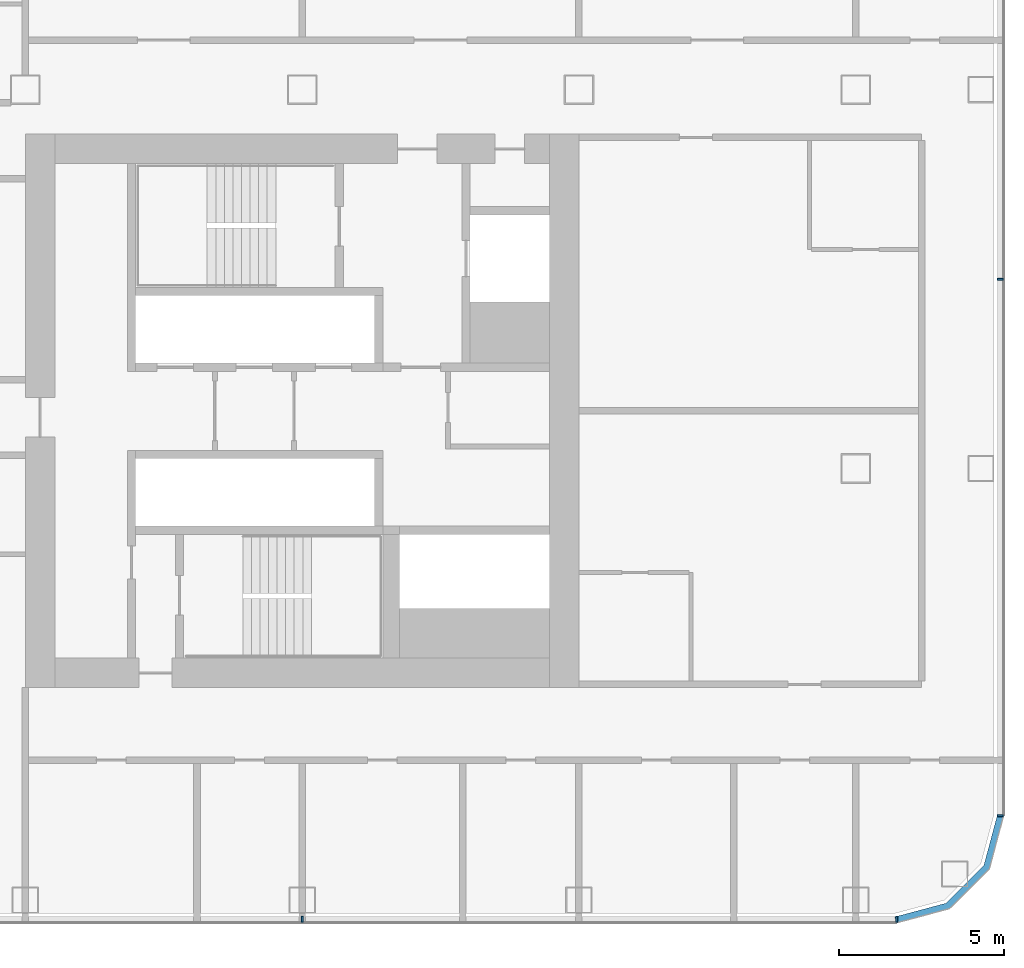
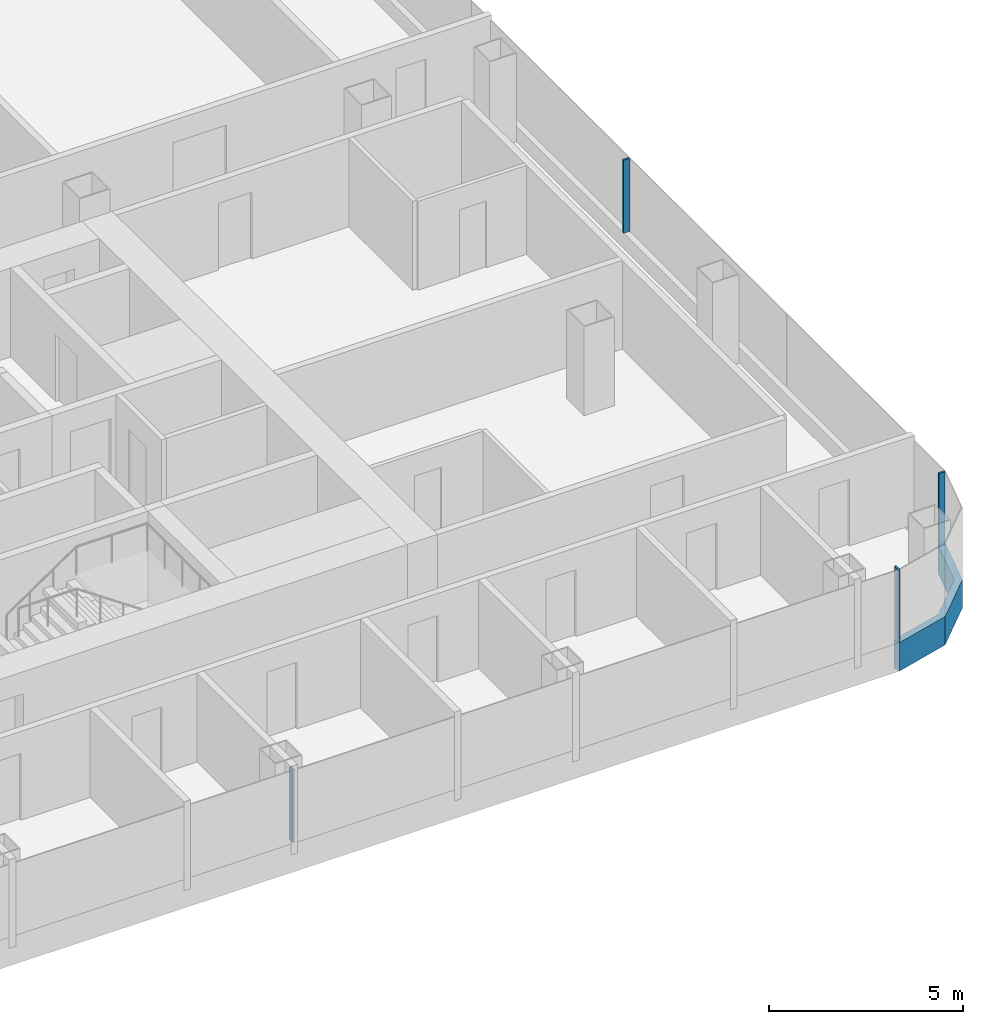
# One storey, part 11 of 29: 5 members, 3 elements without a shape of their own.
"""IFC4 building model written with IfcOpenShell, lengths in metres."""

from ifc_helpers import new_model, si_unit, direction, frame, origin, origin_2d, place, context, subcontext, project, spatial, polyline, rectangle, outline, extrude, material, layer, layer_set, material_profile, profile_set, type_object, element, aggregate, save


model = new_model("IFC4")

# Units and contexts
model_context = context("Model", 3, precision=1e-05, world=origin(), true_north=direction((0.0, 1.0)))
body_context = subcontext(model_context, "Body", "Model", "MODEL_VIEW")
ifc_project = project(units=[si_unit("LENGTHUNIT", "METRE"), si_unit("AREAUNIT", "SQUARE_METRE"), si_unit("VOLUMEUNIT", "CUBIC_METRE"), si_unit("PLANEANGLEUNIT", "RADIAN"), si_unit("MASSUNIT", "GRAM", prefix="KILO")], contexts=[model_context])

# Site, building, storey
site_placement = place(None, origin())
site = spatial("IfcSite", under=ifc_project, at=site_placement, CompositionType="ELEMENT")
building_placement = place(site_placement, origin())
building = spatial("IfcBuilding", under=site, at=building_placement, Name="Hakoniwa Tower and Hamabe Station Hall", CompositionType="ELEMENT")
storey_placement = place(building_placement, frame((0.0, 0.0, 78.60009765625)))
storey = spatial("IfcBuildingStorey", under=building, at=storey_placement, Name="L21", CompositionType="ELEMENT", Elevation=78.60009765625)

# Curtain wall, member
ifc_material_1 = material(Name="Dark low-e laminated glass", Category="glass")
ifc_layer = layer(ifc_material_1, 0.199951171875)
ifc_layer_set = layer_set([ifc_layer], Name="CW-1 UNITISED GUEST")
curtain_wall_type = type_object("IfcCurtainWallType", Name="CW-1 UNITISED GUEST", PredefinedType="NOTDEFINED", material=ifc_layer_set)
curtain_wall_1_placement = place(storey_placement, origin())
curtain_wall_1 = element("IfcCurtainWall", 1, at=curtain_wall_1_placement, inside=storey, type_object=curtain_wall_type, Name="CW-1 curtain wall", PredefinedType="NOTDEFINED")
ifc_material_2 = material(Name="Aluminium 6063-T5 black anodised", Category="aluminium")
ifc_material_profile_1 = material_profile(ifc_material_2, rectangle(XDim=0.199951171875, YDim=0.89990234375, at=origin_2d()), Name="CW SLAB-EDGE BAND 900X200")
ifc_profile_set_1 = profile_set([ifc_material_profile_1], Name="Aluminium 6063-T5 black anodised")
member_type_1 = type_object("IfcMemberType", Name="CW SLAB-EDGE BAND 900X200", PredefinedType="USERDEFINED", material=ifc_profile_set_1)
member_1_placement = place(storey_placement, frame((0.0, 0.0, -0.550048828125)))
member_1 = element("IfcMember", 2, at=member_1_placement, type_object=member_type_1, Name="CW-1 transom", ObjectType="TRANSOM", PredefinedType="USERDEFINED", context=body_context, shape_type="SweptSolid", body=[
    extrude(outline(polyline([(43.239501953125, -15.550048828125), (44.855224609375, -15.116943359375), (46.067138671875, -13.9052734375), (46.5, -12.28955078125), (46.306884765625, -12.23779296875), (45.8876953125, -13.8017578125), (44.751708984375, -14.937744140625), (43.187744140625, -15.35693359375), (43.239501953125, -15.550048828125)])), origin(), (0.0, 0.0, 1.0), 0.89990234375),
])
aggregate(curtain_wall_1, [member_1])

# Curtain wall, members
curtain_wall_2_placement = place(storey_placement, origin())
curtain_wall_2 = element("IfcCurtainWall", 3, at=curtain_wall_2_placement, inside=storey, type_object=curtain_wall_type, Name="CW-1 curtain wall", PredefinedType="NOTDEFINED")
ifc_material_3 = material(Name="Aluminium 6063-T5 black anodised", Category="aluminium")
ifc_material_profile_2 = material_profile(ifc_material_3, rectangle(XDim=0.06005859375, YDim=0.179931640625, at=origin_2d()), Name="CW-1 MULLION 60X180")
ifc_profile_set_2 = profile_set([ifc_material_profile_2], Name="Aluminium 6063-T5 black anodised")
member_type_2 = type_object("IfcMemberType", Name="CW-1 MULLION 60X180", PredefinedType="MULLION", material=ifc_profile_set_2)
member_2_placement = place(storey_placement, frame((46.382080078125, -12.28955078125, 0.349853515625), z_axis=(0.0, 0.0, 1.0), x_axis=(0.0, 1.0, 0.0)))
member_2 = element("IfcMember", 4, at=member_2_placement, type_object=member_type_2, Name="CW-1 mullion", PredefinedType="MULLION", context=body_context, shape_type="SweptSolid", body=[
    extrude(rectangle(XDim=0.06005859375, YDim=0.179931640625, at=origin_2d()), origin(), (0.0, 0.0, 1.0), 2.300048828125),
])
member_3_placement = place(storey_placement, frame((46.382080078125, 4.0, 0.349853515625), z_axis=(0.0, 0.0, 1.0), x_axis=(0.0, 1.0, 0.0)))
member_3 = element("IfcMember", 5, at=member_3_placement, type_object=member_type_2, Name="CW-1 mullion", PredefinedType="MULLION", context=body_context, shape_type="SweptSolid", body=[
    extrude(rectangle(XDim=0.06005859375, YDim=0.179931640625, at=origin_2d()), origin(), (0.0, 0.0, 1.0), 2.300048828125),
])
aggregate(curtain_wall_2, [member_2, member_3])

curtain_wall_3_placement = place(storey_placement, origin())
curtain_wall_3 = element("IfcCurtainWall", 6, at=curtain_wall_3_placement, inside=storey, type_object=curtain_wall_type, Name="CW-1 curtain wall", PredefinedType="NOTDEFINED")
member_4_placement = place(storey_placement, frame((25.199951171875, -15.431884765625, 0.349853515625), z_axis=(0.0, 0.0, 1.0), x_axis=(1.0, 0.0, 0.0)))
member_4 = element("IfcMember", 7, at=member_4_placement, type_object=member_type_2, Name="CW-1 mullion", PredefinedType="MULLION", context=body_context, shape_type="SweptSolid", body=[
    extrude(rectangle(XDim=0.06005859375, YDim=0.179931640625, at=origin_2d()), origin(), (0.0, 0.0, 1.0), 2.300048828125),
])
member_5_placement = place(storey_placement, frame((43.239501953125, -15.431884765625, 0.349853515625), z_axis=(0.0, 0.0, 1.0), x_axis=(1.0, 0.0, 0.0)))
member_5 = element("IfcMember", 8, at=member_5_placement, type_object=member_type_2, Name="CW-1 mullion", PredefinedType="MULLION", context=body_context, shape_type="SweptSolid", body=[
    extrude(rectangle(XDim=0.06005859375, YDim=0.179931640625, at=origin_2d()), origin(), (0.0, 0.0, 1.0), 2.300048828125),
])
aggregate(curtain_wall_3, [member_4, member_5])

save(model, "model.ifc")
